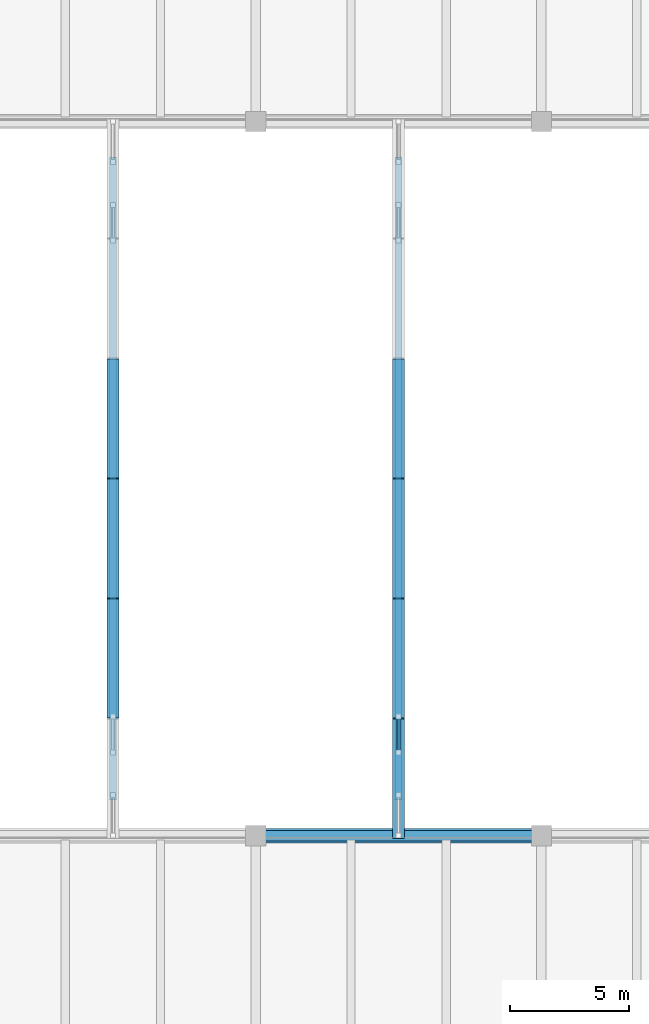
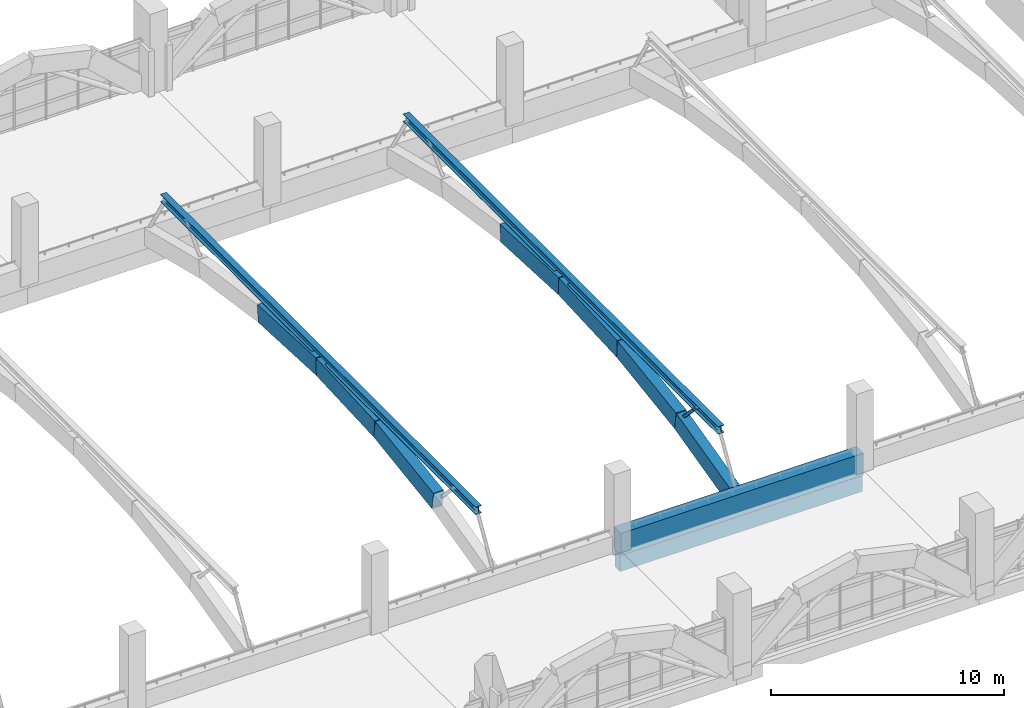
# One storey, part 24 of 161: 9 beams, 3 members.
"""IFC4 building model written with IfcOpenShell, lengths in metres."""

from ifc_helpers import new_model, si_unit, direction, frame, origin, origin_2d, place, context, subcontext, project, spatial, rectangle, hollow_circle, i_section, extrude, material, material_profile, profile_set, type_object, element, save


model = new_model("IFC4")

# Units and contexts
model_context = context("Model", 3, precision=1e-05, world=origin(), true_north=direction((0.0, 1.0)))
body_context = subcontext(model_context, "Body", "Model", "MODEL_VIEW")
ifc_project = project(units=[si_unit("LENGTHUNIT", "METRE"), si_unit("AREAUNIT", "SQUARE_METRE"), si_unit("VOLUMEUNIT", "CUBIC_METRE"), si_unit("PLANEANGLEUNIT", "RADIAN"), si_unit("MASSUNIT", "GRAM", prefix="KILO")], contexts=[model_context])

# Site, building, storey
site_placement = place(None, origin())
site = spatial("IfcSite", under=ifc_project, at=site_placement, CompositionType="ELEMENT")
building_placement = place(site_placement, origin())
building = spatial("IfcBuilding", under=site, at=building_placement, Name="Mersad Railyard Sports Hall", CompositionType="ELEMENT")
storey_placement = place(building_placement, frame((0.0, 0.0, 4.800048828125)))
storey = spatial("IfcBuildingStorey", under=building, at=storey_placement, Name="L01", CompositionType="ELEMENT", Elevation=4.800048828125)

# Beams
ifc_material_1 = material(Name="Concrete C40/50", Category="concrete")
ifc_material_profile_1 = material_profile(ifc_material_1, rectangle(XDim=0.449951171875, YDim=0.85009765625, at=origin_2d()), Name="RC 450x850")
ifc_profile_set_1 = profile_set([ifc_material_profile_1], Name="Concrete C40/50")
beam_type_1 = type_object("IfcBeamType", Name="STR-BM-B02", PredefinedType="BEAM", material=ifc_profile_set_1)
beam_1_placement = place(storey_placement, frame((55.0, 13.5, -0.705078125), z_axis=(1.0, 0.0, 0.0), x_axis=(0.0, 1.0, 0.0)))
element("IfcBeam", 1, at=beam_1_placement, inside=storey, type_object=beam_type_1, Name="Beam B02-0292", PredefinedType="BEAM", context=body_context, shape_type="SweptSolid", body=[
    extrude(rectangle(XDim=0.449951171875, YDim=0.85009765625, at=origin_2d()), origin(), (0.0, 0.0, 1.0), 12.0),
])
ifc_material_2 = material(Name="Concrete C50/60", Category="concrete")
ifc_material_profile_2 = material_profile(ifc_material_2, rectangle(XDim=0.60009765625, YDim=1.14990234375, at=origin_2d()), Name="RC 600x1150")
ifc_profile_set_2 = profile_set([ifc_material_profile_2], Name="Concrete C50/60")
beam_type_2 = type_object("IfcBeamType", Name="STR-BM-B05", PredefinedType="BEAM", material=ifc_profile_set_2)
beam_2_placement = place(storey_placement, frame((55.0, 13.5, 0.33984375), z_axis=(1.0, 0.0, 0.0), x_axis=(0.0, 1.0, 0.0)))
element("IfcBeam", 2, at=beam_2_placement, inside=storey, type_object=beam_type_2, Name="Beam B05-0536", PredefinedType="BEAM", context=body_context, shape_type="SweptSolid", body=[
    extrude(rectangle(XDim=0.60009765625, YDim=1.14990234375, at=origin_2d()), origin(), (0.0, 0.0, 1.0), 12.0),
])
ifc_material_3 = material(Name="Architectural concrete C50/60", Category="concrete")
ifc_material_profile_3 = material_profile(ifc_material_3, rectangle(XDim=0.5, YDim=0.89990234375, at=origin_2d()), Name="VR 500x900")
ifc_profile_set_3 = profile_set([ifc_material_profile_3], Name="Architectural concrete C50/60")
beam_type_3 = type_object("IfcBeamType", Name="STR-BM-VR02", PredefinedType="BEAM", material=ifc_profile_set_3)
beam_3_placement = place(storey_placement, frame((49.0, 18.5, 1.579345703125), z_axis=(0.0, 0.989516876333, 0.144417282391), x_axis=(-1.0, 0.0, 0.0)))
element("IfcBeam", 3, at=beam_3_placement, inside=storey, type_object=beam_type_3, Name="Beam VR02-0531", PredefinedType="BEAM", context=body_context, shape_type="SweptSolid", body=[
    extrude(rectangle(XDim=0.5, YDim=0.89990234375, at=origin_2d()), origin(), (0.0, 0.0, 1.0), 5.052978515625),
])
for number, where, z_axis, x_axis, name in (
    (4, (49.0, 23.5, 2.30908203125), (0.0, 0.998840719075, 0.048137489733), (-1.0, 0.0, 0.0), "Beam VR02-0532"),
    (5, (49.0, 28.5, 2.550048828125), (0.0, 0.998840719075, -0.048137489733), (-1.0, 0.0, 0.0), "Beam VR02-0533"),
):
    element("IfcBeam", number, at=place(storey_placement, frame(where, z_axis=z_axis, x_axis=x_axis)), inside=storey, type_object=beam_type_3, Name=name, PredefinedType="BEAM", context=body_context, shape_type="SweptSolid", body=[
        extrude(rectangle(XDim=0.5, YDim=0.89990234375, at=origin_2d()), origin(), (0.0, 0.0, 1.0), 5.005859375),
    ])
beam_4_placement = place(storey_placement, frame((61.0, 13.5, 0.339599609375), z_axis=(0.0, 0.970609045837, 0.240661754627), x_axis=(-1.0, 0.0, 0.0)))
element("IfcBeam", 6, at=beam_4_placement, inside=storey, type_object=beam_type_3, Name="Beam VR02-0538", PredefinedType="BEAM", context=body_context, shape_type="SweptSolid", body=[
    extrude(rectangle(XDim=0.5, YDim=0.89990234375, at=origin_2d()), origin(), (0.0, 0.0, 1.0), 5.1513671875),
])
beam_5_placement = place(storey_placement, frame((61.0, 18.5, 1.579345703125), z_axis=(0.0, 0.989516876333, 0.144417282391), x_axis=(-1.0, 0.0, 0.0)))
element("IfcBeam", 7, at=beam_5_placement, inside=storey, type_object=beam_type_3, Name="Beam VR02-0539", PredefinedType="BEAM", context=body_context, shape_type="SweptSolid", body=[
    extrude(rectangle(XDim=0.5, YDim=0.89990234375, at=origin_2d()), origin(), (0.0, 0.0, 1.0), 5.052978515625),
])
for number, where, z_axis, x_axis, name in (
    (8, (61.0, 23.5, 2.30908203125), (0.0, 0.998840719075, 0.048137489733), (-1.0, 0.0, 0.0), "Beam VR02-0540"),
    (9, (61.0, 28.5, 2.550048828125), (0.0, 0.998840719075, -0.048137489733), (-1.0, 0.0, 0.0), "Beam VR02-0541"),
):
    element("IfcBeam", number, at=place(storey_placement, frame(where, z_axis=z_axis, x_axis=x_axis)), inside=storey, type_object=beam_type_3, Name=name, PredefinedType="BEAM", context=body_context, shape_type="SweptSolid", body=[
        extrude(rectangle(XDim=0.5, YDim=0.89990234375, at=origin_2d()), origin(), (0.0, 0.0, 1.0), 5.005859375),
    ])

# Members
ifc_material_4 = material(Name="Steel S355", Category="steel")
ifc_material_profile_4 = material_profile(ifc_material_4, hollow_circle(Radius=0.084228515625, WallThickness=0.008056640625, at=origin_2d()), Name="CHS 168.3x8")
ifc_profile_set_4 = profile_set([ifc_material_profile_4], Name="Steel S355")
member_type_1 = type_object("IfcMemberType", Name="STR-MEM-BR03", PredefinedType="BRACE", material=ifc_profile_set_4)
member_placement = place(storey_placement, frame((61.0, 18.5, 1.579345703125), z_axis=(0.0, -0.690676243766, 0.723164107446), x_axis=(1.0, 0.0, 0.0)))
element("IfcMember", 10, at=member_placement, inside=storey, type_object=member_type_1, Name="Structural member BR03-0081", PredefinedType="BRACE", context=body_context, shape_type="SweptSolid", body=[
    extrude(hollow_circle(Radius=0.084228515625, WallThickness=0.008056640625, at=origin_2d()), origin(), (0.0, 0.0, 1.0), 2.171875),
])
ifc_material_profile_5 = material_profile(ifc_material_4, i_section(OverallWidth=0.300048828125, OverallDepth=0.39990234375, WebThickness=0.013427734375, FlangeThickness=0.02392578125, at=origin_2d()), Name="HEB 400")
ifc_profile_set_5 = profile_set([ifc_material_profile_5], Name="Steel S355")
member_type_2 = type_object("IfcMemberType", Name="STR-MEM-CH03", PredefinedType="CHORD", material=ifc_profile_set_5)
for number, where, z_axis, x_axis, name in (
    (11, (49.0, 15.0, 3.14990234375), (0.0, 1.0, 0.0), (-1.0, 0.0, 0.0), "Structural member CH03-0074"),
    (12, (61.0, 15.0, 3.14990234375), (0.0, 1.0, 0.0), (-1.0, 0.0, 0.0), "Structural member CH03-0079"),
):
    element("IfcMember", number, at=place(storey_placement, frame(where, z_axis=z_axis, x_axis=x_axis)), inside=storey, type_object=member_type_2, Name=name, PredefinedType="CHORD", context=body_context, shape_type="SweptSolid", body=[
        extrude(i_section(OverallWidth=0.300048828125, OverallDepth=0.39990234375, WebThickness=0.013427734375, FlangeThickness=0.02392578125, at=origin_2d()), origin(), (0.0, 0.0, 1.0), 27.0),
    ])

save(model, "model.ifc")
